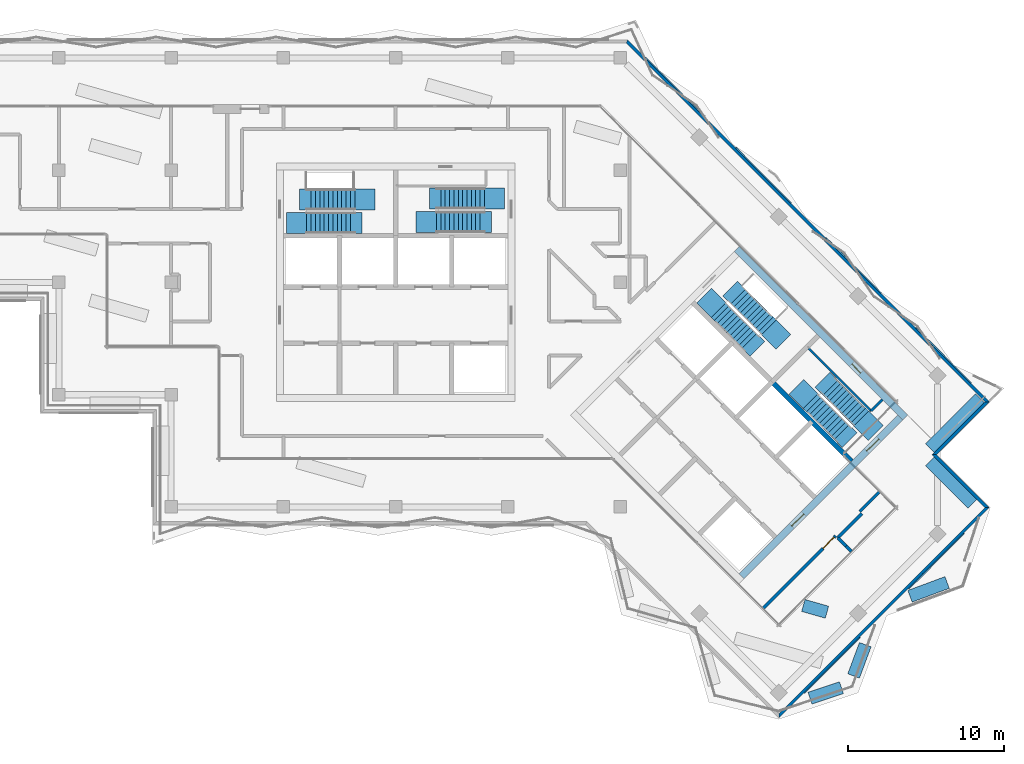
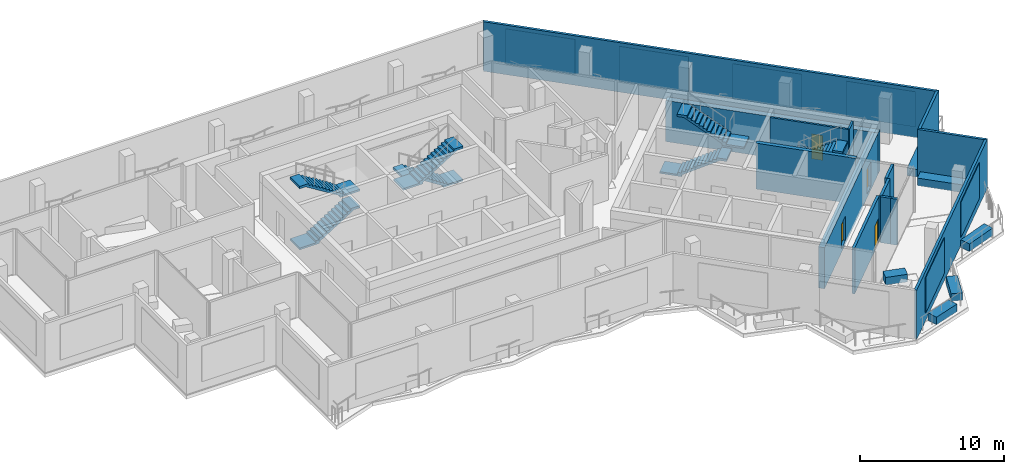
# One storey, part 12 of 19: 20 walls, 8 stair flights, 6 plates, 4 doors, 4 openings, 4 elements without a shape of their own.
"""IFC4 building model written with IfcOpenShell, lengths in metres."""

from ifc_helpers import new_model, si_unit, direction, frame, frame_2d, origin, place, context, subcontext, project, spatial, polyline, rectangle, outline, extrude, material, layer, layer_set, type_object, element, fill, aggregate, save


model = new_model("IFC4")

# Units and contexts
model_context = context("Model", 3, precision=1e-05, world=origin(), true_north=direction((0.0, 1.0)))
body_context = subcontext(model_context, "Body", "Model", "MODEL_VIEW")
ifc_project = project(units=[si_unit("LENGTHUNIT", "METRE"), si_unit("AREAUNIT", "SQUARE_METRE"), si_unit("VOLUMEUNIT", "CUBIC_METRE"), si_unit("PLANEANGLEUNIT", "RADIAN"), si_unit("MASSUNIT", "GRAM", prefix="KILO")], contexts=[model_context])

# Plate
ifc_material_1 = material(Name="Aluminium louvre", Category="aluminium")
ifc_layer_1 = layer(ifc_material_1, 0.05)
ifc_layer_set_1 = layer_set([ifc_layer_1], Name="Belt louvre panel 5000x3000")
plate_type = type_object("IfcPlateType", Name="Belt louvre panel 5000x3000", PredefinedType="SHEET", material=ifc_layer_set_1)
site_placement = place(None, origin())
building_placement = place(site_placement, origin())
storey_placement = place(building_placement, frame((0.0, 0.0, 230.4)))
plate_1_placement = place(storey_placement, frame((101.7315, 51.1655, 0.75), z_axis=(0.7071167811, 0.7070967812, 0.0), x_axis=(-0.7070967812, 0.7071167811, 0.0)))
plate_1 = element("IfcPlate", 1, at=plate_1_placement, type_object=plate_type, Name="Belt louvre panel L63 5.1", PredefinedType="SHEET", context=body_context, shape_type="SweptSolid", body=[
    extrude(outline(polyline([(0.0, 0.0), (5.0, 0.0), (5.0, 3.0), (0.0, 3.0), (0.0, 0.0)])), origin(), (0.0, 0.0, -1.0), 0.05),
])

plate_2_placement = place(storey_placement, frame((95.9536, 56.9434, 0.75), z_axis=(0.7071167811, 0.7070967812, 0.0), x_axis=(-0.7070967812, 0.7071167811, 0.0)))
plate_2 = element("IfcPlate", 2, at=plate_2_placement, type_object=plate_type, Name="Belt louvre panel L63 6.2", PredefinedType="SHEET", context=body_context, shape_type="SweptSolid", body=[
    extrude(outline(polyline([(0.0, 0.0), (5.0, 0.0), (5.0, 3.0), (0.0, 3.0), (0.0, 0.0)])), origin(), (0.0, 0.0, -1.0), 0.05),
])

plate_3_placement = place(storey_placement, frame((90.1756, 62.7214, 0.75), z_axis=(0.7071067812, 0.7071067812, 0.0), x_axis=(-0.7071067812, 0.7071067812, 0.0)))
plate_3 = element("IfcPlate", 3, at=plate_3_placement, type_object=plate_type, Name="Belt louvre panel L63 7.3", PredefinedType="SHEET", context=body_context, shape_type="SweptSolid", body=[
    extrude(outline(polyline([(0.0, 0.0), (5.0, 0.0), (5.0, 3.0), (0.0, 3.0), (0.0, 0.0)])), origin(), (0.0, 0.0, -1.0), 0.05),
])

plate_4_placement = place(storey_placement, frame((84.3977, 68.4993, 0.75), z_axis=(0.7071167811, 0.7070967812, 0.0), x_axis=(-0.7070967812, 0.7071167811, 0.0)))
plate_4 = element("IfcPlate", 4, at=plate_4_placement, type_object=plate_type, Name="Belt louvre panel L63 8.4", PredefinedType="SHEET", context=body_context, shape_type="SweptSolid", body=[
    extrude(outline(polyline([(0.0, 0.0), (5.0, 0.0), (5.0, 3.0), (0.0, 3.0), (0.0, 0.0)])), origin(), (0.0, 0.0, -1.0), 0.05),
])

plate_5_placement = place(storey_placement, frame((91.0617, 31.253, 0.75), z_axis=(0.7070967812, -0.7071167811, 0.0), x_axis=(0.7071167811, 0.7070967812, 0.0)))
plate_5 = element("IfcPlate", 5, at=plate_5_placement, type_object=plate_type, Name="Belt louvre panel L63 73.1", PredefinedType="SHEET", context=body_context, shape_type="SweptSolid", body=[
    extrude(outline(polyline([(0.0, 0.0), (5.0, 0.0), (5.0, 3.0), (0.0, 3.0), (0.0, 0.0)])), origin(), (0.0, 0.0, -1.0), 0.05),
])

plate_6_placement = place(storey_placement, frame((97.7439, 37.9351, 0.75), z_axis=(0.7071167811, -0.7070967812, 0.0), x_axis=(0.7070967812, 0.7071167811, 0.0)))
plate_6 = element("IfcPlate", 6, at=plate_6_placement, type_object=plate_type, Name="Belt louvre panel L63 74.2", PredefinedType="SHEET", context=body_context, shape_type="SweptSolid", body=[
    extrude(outline(polyline([(0.0, 0.0), (5.0, 0.0), (5.0, 3.0), (0.0, 3.0), (0.0, 0.0)])), origin(), (0.0, 0.0, -1.0), 0.05),
])

# Site, building, storey
site = spatial("IfcSite", under=ifc_project, at=site_placement, CompositionType="ELEMENT")
building = spatial("IfcBuilding", under=site, at=building_placement, Name="Windrow Commons", CompositionType="ELEMENT")
storey = spatial("IfcBuildingStorey", under=building, at=storey_placement, Name="L63", CompositionType="ELEMENT", Elevation=230.4)

# Walls
ifc_material_2 = material(Name="Concrete C40/50 precast screen panel", Category="concrete")
ifc_layer_2 = layer(ifc_material_2, 0.2)
ifc_layer_set_2 = layer_set([ifc_layer_2], Name="Belt screen wall 200")
wall_type_1 = type_object("IfcWallType", Name="Belt screen wall 200", PredefinedType="SOLIDWALL", material=ifc_layer_set_2)
wall_1_placement = place(storey_placement, frame((102.7467, 43.15, 0.0), z_axis=(0.0, 0.0, 1.0), x_axis=(-0.7071067812, 0.7071067812, 0.0)))
element("IfcWall", 7, at=wall_1_placement, inside=storey, type_object=wall_type_1, Name="Belt screen wall L63 1", PredefinedType="SOLIDWALL", context=body_context, shape_type="SweptSolid", body=[
    extrude(outline(polyline([(-0.1, -0.1), (4.7, -0.1), (4.9, 0.1), (0.1, 0.1), (-0.1, -0.1)])), origin(), (0.0, 0.0, 1.0), 4.2),
])
wall_2_placement = place(storey_placement, frame((99.3525, 46.5442, 0.0), z_axis=(0.0, 0.0, 1.0), x_axis=(0.7071171977, 0.7070963646, 0.0)))
element("IfcWall", 8, at=wall_2_placement, inside=storey, type_object=wall_type_1, Name="Belt screen wall L63 3", PredefinedType="SOLIDWALL", context=body_context, shape_type="SweptSolid", body=[
    extrude(outline(polyline([(0.1, -0.1), (4.9, -0.1), (4.7, 0.1), (-0.1, 0.1), (0.1, -0.1)])), origin(), (0.0, 0.0, 1.0), 4.2),
])

# Wall
wall_3_placement = place(storey_placement, frame((102.7467, 49.9383, 0.0), z_axis=(0.0, 0.0, 1.0), x_axis=(-0.7071083109, 0.7071052514, 0.0)))
wall_3 = element("IfcWall", 9, at=wall_3_placement, inside=storey, type_object=wall_type_1, Name="Belt screen wall L63 5", PredefinedType="SOLIDWALL", context=body_context, shape_type="SweptSolid", body=[
    extrude(outline(polyline([(-0.1, -0.1), (32.7263, -0.1), (32.6435, 0.1), (0.1, 0.1), (-0.1, -0.1)])), origin(), (0.0, 0.0, 1.0), 4.2),
])

aggregate(wall_3, [plate_1, plate_2, plate_3, plate_4])

wall_4_placement = place(storey_placement, frame((89.3823, 29.7857, 0.0), z_axis=(0.0, 0.0, 1.0), x_axis=(0.7071094267, 0.7071041357, 0.0)))
wall_4 = element("IfcWall", 10, at=wall_4_placement, inside=storey, type_object=wall_type_1, Name="Belt screen wall L63 73", PredefinedType="SOLIDWALL", context=body_context, shape_type="SweptSolid", body=[
    extrude(outline(polyline([(-0.1, -0.1), (19.0, -0.1), (18.8, 0.1), (0.1, 0.1), (-0.1, -0.1)])), origin(), (0.0, 0.0, 1.0), 4.2),
])

aggregate(wall_4, [plate_5, plate_6])

# Wall, opening, door
ifc_material_3 = material(Name="Blockwork partition", Category="masonry")
ifc_layer_3 = layer(ifc_material_3, 0.2)
ifc_layer_set_3 = layer_set([ifc_layer_3], Name="IW-CORRIDOR-200")
wall_type_2 = type_object("IfcWallType", Name="IW-CORRIDOR-200", PredefinedType="PARTITIONING", material=ifc_layer_set_3)
wall_5_placement = place(storey_placement, frame((88.3767, 36.7013, 0.0), z_axis=(0.0, 0.0, 1.0), x_axis=(0.7071067812, 0.7071067812, 0.0)))
wall_5 = element("IfcWall", 11, at=wall_5_placement, inside=storey, type_object=wall_type_2, Name="W-L63-W004", PredefinedType="PARTITIONING", context=body_context, shape_type="SweptSolid", body=[
    extrude(rectangle(XDim=6.5704, YDim=0.2, at=frame_2d((3.2852, 0.0))), origin(), (0.0, 0.0, 1.0), 3.9),
])
opening_1_placement = place(wall_5_placement, frame((5.4297, 0.0, 0.0)))
opening_1 = element("IfcOpeningElement", 12, at=opening_1_placement, cuts=wall_5, Name="Opening D310F", PredefinedType="OPENING", context=body_context, shape_type="SweptSolid", body=[
    extrude(rectangle(XDim=1.0, YDim=2.1, at=frame_2d((0.5, 1.05))), frame((0.0, 0.11, 0.0), z_axis=(0.0, -1.0, 0.0), x_axis=(1.0, 0.0, 0.0)), (0.0, 0.0, 1.0), 0.22),
])
ifc_material_4 = material(Name="Timber door leaf", Category="wood")
door_type_1 = type_object("IfcDoorType", Name="DT-AMENITY-1000", OperationType="SINGLE_SWING_LEFT", PredefinedType="DOOR", material=ifc_material_4)
door_1_placement = place(opening_1_placement, origin())
door_1 = element("IfcDoor", 13, at=door_1_placement, inside=storey, type_object=door_type_1, Name="D-L63-D014", OperationType="SINGLE_SWING_LEFT", OverallHeight=2.1, OverallWidth=1.0, PredefinedType="DOOR", context=body_context, shape_type="SweptSolid", body=[
    extrude(rectangle(XDim=1.0, YDim=2.1, at=frame_2d((0.5, 1.05))), frame((0.0, 0.025, 0.0), z_axis=(0.0, -1.0, 0.0), x_axis=(1.0, 0.0, 0.0)), (0.0, 0.0, 1.0), 0.05),
])
fill(opening_1, door_1)

# Walls
wall_6_placement = place(storey_placement, frame((93.1643, 41.2077, 0.0), z_axis=(0.0, 0.0, 1.0), x_axis=(0.706651904, 0.7075613659, 0.0)))
element("IfcWall", 14, at=wall_6_placement, inside=storey, type_object=wall_type_2, Name="W-L63-W023", PredefinedType="PARTITIONING", context=body_context, shape_type="SweptSolid", body=[
    extrude(rectangle(XDim=2.1991, YDim=0.2, at=frame_2d((1.0996, 0.0))), origin(), (0.0, 0.0, 1.0), 3.9),
])
wall_7_placement = place(storey_placement, frame((94.5781, 42.9059, 0.0), z_axis=(0.0, 0.0, 1.0), x_axis=(0.7076717883, 0.7065413222, 0.0)))
element("IfcWall", 15, at=wall_7_placement, inside=storey, type_object=wall_type_2, Name="W-L63-W033", PredefinedType="PARTITIONING", context=body_context, shape_type="SweptSolid", body=[
    extrude(rectangle(XDim=1.7692, YDim=0.2, at=frame_2d((0.8846, 0.0))), origin(), (0.0, 0.0, 1.0), 3.9),
])
ifc_material_5 = material(Name="Blockwork partition", Category="masonry")
ifc_layer_4 = layer(ifc_material_5, 0.2)
ifc_layer_set_4 = layer_set([ifc_layer_4], Name="IW-PARTY-200")
wall_type_3 = type_object("IfcWallType", Name="IW-PARTY-200", PredefinedType="PARTITIONING", material=ifc_layer_set_4)
wall_8_placement = place(storey_placement, frame((93.1693, 41.2093, 0.0), z_axis=(0.0, 0.0, 1.0), x_axis=(0.7071067812, -0.7071067812, 0.0)))
element("IfcWall", 16, at=wall_8_placement, inside=storey, type_object=wall_type_3, Name="W-L63-W053", PredefinedType="PARTITIONING", context=body_context, shape_type="SweptSolid", body=[
    extrude(rectangle(XDim=0.7495, YDim=0.2, at=frame_2d((0.3748, 0.0))), origin(), (0.0, 0.0, 1.0), 3.9),
])
wall_9_placement = place(storey_placement, frame((93.6978, 40.6778, 0.0), z_axis=(0.0, 0.0, 1.0), x_axis=(0.7049801586, -0.7092270271, 0.0)))
element("IfcWall", 17, at=wall_9_placement, inside=storey, type_object=wall_type_3, Name="W-L63-W056", PredefinedType="PARTITIONING", context=body_context, shape_type="SweptSolid", body=[
    extrude(rectangle(XDim=0.4709, YDim=0.2, at=frame_2d((0.2354, 0.0))), origin(), (0.0, 0.0, 1.0), 3.9),
])
ifc_material_6 = material(Name="Concrete C30/37 planter wall", Category="concrete")
ifc_layer_5 = layer(ifc_material_6, 0.8)
ifc_layer_set_5 = layer_set([ifc_layer_5], Name="Planter 800x600")
wall_type_4 = type_object("IfcWallType", Name="Planter 800x600", PredefinedType="SOLIDWALL", material=ifc_layer_set_5)
wall_10_placement = place(storey_placement, frame((91.3823, 30.9254, 0.0), z_axis=(0.0, 0.0, 1.0), x_axis=(0.9486832981, 0.316227766, 0.0)))
element("IfcWall", 18, at=wall_10_placement, inside=storey, type_object=wall_type_4, Name="PLANTER TR-L63-1.6", PredefinedType="SOLIDWALL", context=body_context, shape_type="SweptSolid", body=[
    extrude(rectangle(XDim=2.1304, YDim=0.8, at=frame_2d((1.0652, 0.0))), origin(), (0.0, 0.0, 1.0), 0.65),
])
wall_11_placement = place(storey_placement, frame((94.1815, 32.3513, 0.0), z_axis=(0.0, 0.0, 1.0), x_axis=(0.3482040896, 0.9374187495, 0.0)))
element("IfcWall", 19, at=wall_11_placement, inside=storey, type_object=wall_type_4, Name="PLANTER TR-L63-1.7", PredefinedType="SOLIDWALL", context=body_context, shape_type="SweptSolid", body=[
    extrude(rectangle(XDim=2.1447, YDim=0.8, at=frame_2d((1.0723, 0.0))), origin(), (0.0, 0.0, 1.0), 0.65),
])
wall_12_placement = place(storey_placement, frame((97.7975, 37.4655, 0.0), z_axis=(0.0, 0.0, 1.0), x_axis=(0.937425272, 0.3481865296, 0.0)))
element("IfcWall", 20, at=wall_12_placement, inside=storey, type_object=wall_type_4, Name="PLANTER TR-L63-1.8", PredefinedType="SOLIDWALL", context=body_context, shape_type="SweptSolid", body=[
    extrude(rectangle(XDim=2.5426, YDim=0.8, at=frame_2d((1.2713, 0.0))), origin(), (0.0, 0.0, 1.0), 0.65),
])
wall_13_placement = place(storey_placement, frame((101.7908, 43.3987, 0.0), z_axis=(0.0, 0.0, 1.0), x_axis=(-0.7070807946, 0.7071327668, 0.0)))
element("IfcWall", 21, at=wall_13_placement, inside=storey, type_object=wall_type_4, Name="PLANTER TR-L63-1.9", PredefinedType="SOLIDWALL", context=body_context, shape_type="SweptSolid", body=[
    extrude(rectangle(XDim=3.8482, YDim=0.8, at=frame_2d((1.9241, 0.0))), origin(), (0.0, 0.0, 1.0), 0.65),
])
wall_14_placement = place(storey_placement, frame((99.0698, 46.9685, 0.0), z_axis=(0.0, 0.0, 1.0), x_axis=(0.7071067812, 0.7071067812, 0.0)))
element("IfcWall", 22, at=wall_14_placement, inside=storey, type_object=wall_type_4, Name="PLANTER TR-L63-1.10", PredefinedType="SOLIDWALL", context=body_context, shape_type="SweptSolid", body=[
    extrude(rectangle(XDim=4.5478, YDim=0.8, at=frame_2d((2.2739, 0.0))), origin(), (0.0, 0.0, 1.0), 0.65),
])
wall_15_placement = place(storey_placement, frame((92.4735, 36.4443, 0.0), z_axis=(0.0, 0.0, 1.0), x_axis=(-0.9622658072, 0.2721112204, 0.0)))
element("IfcWall", 23, at=wall_15_placement, inside=storey, type_object=wall_type_4, Name="PLANTER TR-L63-1 bed 13", PredefinedType="SOLIDWALL", context=body_context, shape_type="SweptSolid", body=[
    extrude(rectangle(XDim=1.5795, YDim=0.8, at=frame_2d((0.7897, 0.0))), origin(), (0.0, 0.0, 1.0), 0.65),
])

# Wall, opening, door
ifc_material_7 = material(Name="Concrete C40/50", Category="concrete")
ifc_layer_6 = layer(ifc_material_7, 0.45)
ifc_layer_set_6 = layer_set([ifc_layer_6], Name="RC CORE WALL 450 C40/50")
wall_type_5 = type_object("IfcWallType", Name="RC CORE WALL 450 C40/50", PredefinedType="SHEAR", material=ifc_layer_set_6)
wall_16_placement = place(storey_placement, frame((86.6777, 59.7494, -0.3), z_axis=(0.0, 0.0, 1.0), x_axis=(0.7071035132, -0.7071100491, 0.0)))
wall_16 = element("IfcWall", 24, at=wall_16_placement, inside=storey, type_object=wall_type_5, Name="Core B wall outer-N", PredefinedType="SHEAR", context=body_context, shape_type="SweptSolid", body=[
    extrude(rectangle(XDim=15.3, YDim=0.45, at=frame_2d((7.65, 0.0))), origin(), (0.0, 0.0, 1.0), 3.5),
])
opening_2_placement = place(wall_16_placement, frame((10.45, 0.0, 0.3)))
opening_2 = element("IfcOpeningElement", 25, at=opening_2_placement, cuts=wall_16, Name="Opening D9", PredefinedType="OPENING", context=body_context, shape_type="SweptSolid", body=[
    extrude(rectangle(XDim=0.8, YDim=2.1, at=frame_2d((0.4, 1.05))), frame((0.0, 0.235, 0.0), z_axis=(0.0, -1.0, 0.0), x_axis=(1.0, 0.0, 0.0)), (0.0, 0.0, 1.0), 0.47),
])
ifc_material_8 = material(Name="Steel fire door leaf", Category="steel")
door_type_2 = type_object("IfcDoorType", Name="Riser access door 800", OperationType="SINGLE_SWING_LEFT", PredefinedType="DOOR", material=ifc_material_8)
door_2_placement = place(opening_2_placement, origin())
door_2 = element("IfcDoor", 26, at=door_2_placement, inside=storey, type_object=door_type_2, Name="Riser access door", OperationType="SINGLE_SWING_RIGHT", OverallHeight=2.1, OverallWidth=0.8, PredefinedType="DOOR", context=body_context, shape_type="SweptSolid", body=[
    extrude(rectangle(XDim=0.8, YDim=2.1, at=frame_2d((0.4, 1.05))), frame((0.0, 0.025, 0.0), z_axis=(0.0, -1.0, 0.0), x_axis=(1.0, 0.0, 0.0)), (0.0, 0.0, 1.0), 0.05),
])
fill(opening_2, door_2)

# Wall, openings, doors
wall_17_placement = place(storey_placement, frame((86.9959, 38.7483, -0.3), z_axis=(0.0, 0.0, 1.0), x_axis=(0.7071067812, 0.7071067812, 0.0)))
wall_17 = element("IfcWall", 27, at=wall_17_placement, inside=storey, type_object=wall_type_5, Name="Core B wall outer-E", PredefinedType="SHEAR", context=body_context, shape_type="SweptSolid", body=[
    extrude(rectangle(XDim=14.3999, YDim=0.45, at=frame_2d((7.2, 0.0))), origin(), (0.0, 0.0, 1.0), 3.5),
])
opening_3_placement = place(wall_17_placement, frame((4.55, 0.0, 0.3)))
opening_3 = element("IfcOpeningElement", 28, at=opening_3_placement, cuts=wall_17, Name="Opening D6", PredefinedType="OPENING", context=body_context, shape_type="SweptSolid", body=[
    extrude(rectangle(XDim=1.1, YDim=2.1, at=frame_2d((0.55, 1.05))), frame((0.0, 0.235, 0.0), z_axis=(0.0, -1.0, 0.0), x_axis=(1.0, 0.0, 0.0)), (0.0, 0.0, 1.0), 0.47),
])
opening_4_placement = place(wall_17_placement, frame((11.35, 0.0, 0.3)))
opening_4 = element("IfcOpeningElement", 29, at=opening_4_placement, cuts=wall_17, Name="Opening D7", PredefinedType="OPENING", context=body_context, shape_type="SweptSolid", body=[
    extrude(rectangle(XDim=1.1, YDim=2.1, at=frame_2d((0.55, 1.05))), frame((0.0, 0.235, 0.0), z_axis=(0.0, -1.0, 0.0), x_axis=(1.0, 0.0, 0.0)), (0.0, 0.0, 1.0), 0.47),
])
ifc_material_9 = material(Name="Steel fire door leaf", Category="steel")
door_type_3 = type_object("IfcDoorType", Name="Core lobby door 1100", OperationType="SINGLE_SWING_LEFT", PredefinedType="DOOR", material=ifc_material_9)
door_3_placement = place(opening_3_placement, origin())
door_3 = element("IfcDoor", 30, at=door_3_placement, inside=storey, type_object=door_type_3, Name="Lift lobby door", OperationType="DOUBLE_DOOR_SINGLE_SWING", OverallHeight=2.1, OverallWidth=1.1, PredefinedType="DOOR", context=body_context, shape_type="SweptSolid", body=[
    extrude(rectangle(XDim=1.1, YDim=2.1, at=frame_2d((0.55, 1.05))), frame((0.0, 0.025, 0.0), z_axis=(0.0, -1.0, 0.0), x_axis=(1.0, 0.0, 0.0)), (0.0, 0.0, 1.0), 0.05),
])
fill(opening_3, door_3)
ifc_material_10 = material(Name="Steel fire door leaf", Category="steel")
door_type_4 = type_object("IfcDoorType", Name="Stair door 1100", OperationType="SINGLE_SWING_LEFT", PredefinedType="DOOR", material=ifc_material_10)
door_4_placement = place(opening_4_placement, origin())
door_4 = element("IfcDoor", 31, at=door_4_placement, inside=storey, type_object=door_type_4, Name="Stair door", OperationType="SINGLE_SWING_RIGHT", OverallHeight=2.1, OverallWidth=1.1, PredefinedType="DOOR", context=body_context, shape_type="SweptSolid", body=[
    extrude(rectangle(XDim=1.1, YDim=2.1, at=frame_2d((0.55, 1.05))), frame((0.0, 0.025, 0.0), z_axis=(0.0, -1.0, 0.0), x_axis=(1.0, 0.0, 0.0)), (0.0, 0.0, 1.0), 0.05),
])
fill(opening_4, door_4)

# Walls
ifc_material_11 = material(Name="Concrete C40/50", Category="concrete")
ifc_layer_7 = layer(ifc_material_11, 0.3)
ifc_layer_set_7 = layer_set([ifc_layer_7], Name="RC SHAFT WALL 300 C40/50")
wall_type_6 = type_object("IfcWallType", Name="RC SHAFT WALL 300 C40/50", PredefinedType="SOLIDWALL", material=ifc_layer_set_7)
wall_18_placement = place(storey_placement, frame((88.9581, 51.2111, 0.0), z_axis=(0.0, 0.0, 1.0), x_axis=(0.7070998367, -0.7071137256, 0.0)))
element("IfcWall", 32, at=wall_18_placement, inside=storey, type_object=wall_type_6, Name="Core B wall stair-S2", PredefinedType="SOLIDWALL", context=body_context, shape_type="SweptSolid", body=[
    extrude(rectangle(XDim=7.2, YDim=0.3, at=frame_2d((3.6, 0.0))), origin(), (0.0, 0.0, 1.0), 3.9),
])
ifc_material_12 = material(Name="Blockwork partition", Category="masonry")
ifc_layer_8 = layer(ifc_material_12, 0.15)
ifc_layer_set_8 = layer_set([ifc_layer_8], Name="Riser partition 150")
wall_type_7 = type_object("IfcWallType", Name="Riser partition 150", PredefinedType="PARTITIONING", material=ifc_layer_set_8)
wall_19_placement = place(storey_placement, frame((91.3127, 53.3536, 0.0), z_axis=(0.0, 0.0, 1.0), x_axis=(0.7071067812, -0.7071067812, 0.0)))
element("IfcWall", 33, at=wall_19_placement, inside=storey, type_object=wall_type_7, Name="W-core-strip-B-L63", PredefinedType="PARTITIONING", context=body_context, shape_type="SweptSolid", body=[
    extrude(rectangle(XDim=5.6501, YDim=0.15, at=frame_2d((2.8251, 0.0))), origin(), (0.0, 0.0, 1.0), 3.9),
])
wall_20_placement = place(storey_placement, frame((95.3079, 49.3584, 0.0), z_axis=(0.0, 0.0, 1.0), x_axis=(0.70705776, 0.707155799, 0.0)))
element("IfcWall", 34, at=wall_20_placement, inside=storey, type_object=wall_type_7, Name="W-core-stripx-B-L63-1", PredefinedType="PARTITIONING", context=body_context, shape_type="SweptSolid", body=[
    extrude(rectangle(XDim=1.02, YDim=0.15, at=frame_2d((0.51, 0.0))), origin(), (0.0, 0.0, 1.0), 3.9),
])

# Stair, stair flights
ifc_material_13 = material(Name="Concrete C40/50", Category="concrete")
stair_type = type_object("IfcStairType", Name="Core stair", PredefinedType="HALF_TURN_STAIR", material=ifc_material_13)
placement = place(storey_placement, origin())
stair_1 = element("IfcStair", 35, at=placement, inside=storey, type_object=stair_type, Name="L63 Exit stair A1 core A", PredefinedType="HALF_TURN_STAIR")
ifc_material_14 = material(Name="Concrete C40/50", Category="concrete")
stair_flight_type = type_object("IfcStairFlightType", Name="Core stair flight", PredefinedType="STRAIGHT", material=ifc_material_14)
stair_flight_1_placement = place(storey_placement, frame((59.1, 61.425, 0.0), z_axis=(0.0, 0.0, 1.0), x_axis=(1.0, 0.0, 0.0)))
stair_flight_1 = element("IfcStairFlight", 36, at=stair_flight_1_placement, type_object=stair_flight_type, Name="ST-A1 flight 1", NumberOfRisers=12, NumberOfTreads=11, PredefinedType="STRAIGHT", RiserHeight=0.175, TreadLength=0.28, context=body_context, shape_type="SweptSolid", body=[
    extrude(outline(polyline([(-1.3, -0.15), (-1.3, 0.0), (0.0, 0.0), (0.0, 0.175), (0.28, 0.175), (0.28, 0.35), (0.56, 0.35), (0.56, 0.525), (0.84, 0.525), (0.84, 0.7), (1.12, 0.7), (1.12, 0.875), (1.4, 0.875), (1.4, 1.05), (1.68, 1.05), (1.68, 1.225), (1.96, 1.225), (1.96, 1.4), (2.24, 1.4), (2.24, 1.575), (2.52, 1.575), (2.52, 1.75), (2.8, 1.75), (2.8, 1.925), (3.08, 1.925), (3.53, 1.925), (3.53, 1.725), (3.08, 1.725), (3.08, 1.7481), (0.283, 0.0), (0.283, -0.15), (-1.3, -0.15)])), frame((0.0, 0.675, 0.0), z_axis=(0.0, -1.0, 0.0), x_axis=(1.0, 0.0, 0.0)), (0.0, 0.0, 1.0), 1.35),
])
stair_flight_2_placement = place(storey_placement, frame((62.18, 62.925, 2.1), z_axis=(0.0, 0.0, 1.0), x_axis=(-1.0, 0.0, 0.0)))
stair_flight_2 = element("IfcStairFlight", 37, at=stair_flight_2_placement, type_object=stair_flight_type, Name="ST-A1 flight 2", NumberOfRisers=12, NumberOfTreads=11, PredefinedType="STRAIGHT", RiserHeight=0.175, TreadLength=0.28, context=body_context, shape_type="SweptSolid", body=[
    extrude(outline(polyline([(-1.3, -0.15), (-1.3, 0.0), (0.0, 0.0), (0.0, 0.175), (0.28, 0.175), (0.28, 0.35), (0.56, 0.35), (0.56, 0.525), (0.84, 0.525), (0.84, 0.7), (1.12, 0.7), (1.12, 0.875), (1.4, 0.875), (1.4, 1.05), (1.68, 1.05), (1.68, 1.225), (1.96, 1.225), (1.96, 1.4), (2.24, 1.4), (2.24, 1.575), (2.52, 1.575), (2.52, 1.75), (2.8, 1.75), (2.8, 1.925), (3.08, 1.925), (3.53, 1.925), (3.53, 1.725), (3.08, 1.725), (3.08, 1.7481), (0.283, 0.0), (0.283, -0.15), (-1.3, -0.15)])), frame((0.0, 0.675, 0.0), z_axis=(0.0, -1.0, 0.0), x_axis=(1.0, 0.0, 0.0)), (0.0, 0.0, 1.0), 1.35),
])
aggregate(stair_1, [stair_flight_1, stair_flight_2])

stair_2 = element("IfcStair", 38, at=placement, inside=storey, type_object=stair_type, Name="L63 Exit stair A2 core A", PredefinedType="HALF_TURN_STAIR")
stair_flight_3_placement = place(storey_placement, frame((70.5, 62.98, 0.0), z_axis=(0.0, 0.0, 1.0), x_axis=(-1.0, 0.0, 0.0)))
stair_flight_3 = element("IfcStairFlight", 39, at=stair_flight_3_placement, type_object=stair_flight_type, Name="ST-A2 flight 1", NumberOfRisers=12, NumberOfTreads=11, PredefinedType="STRAIGHT", RiserHeight=0.175, TreadLength=0.28, context=body_context, shape_type="SweptSolid", body=[
    extrude(outline(polyline([(-1.3, -0.15), (-1.3, 0.0), (0.0, 0.0), (0.0, 0.175), (0.28, 0.175), (0.28, 0.35), (0.56, 0.35), (0.56, 0.525), (0.84, 0.525), (0.84, 0.7), (1.12, 0.7), (1.12, 0.875), (1.4, 0.875), (1.4, 1.05), (1.68, 1.05), (1.68, 1.225), (1.96, 1.225), (1.96, 1.4), (2.24, 1.4), (2.24, 1.575), (2.52, 1.575), (2.52, 1.75), (2.8, 1.75), (2.8, 1.925), (3.08, 1.925), (3.53, 1.925), (3.53, 1.725), (3.08, 1.725), (3.08, 1.7481), (0.283, 0.0), (0.283, -0.15), (-1.3, -0.15)])), frame((0.0, 0.675, 0.0), z_axis=(0.0, -1.0, 0.0), x_axis=(1.0, 0.0, 0.0)), (0.0, 0.0, 1.0), 1.35),
])
stair_flight_4_placement = place(storey_placement, frame((67.42, 61.48, 2.1), z_axis=(0.0, 0.0, 1.0), x_axis=(1.0, 0.0, 0.0)))
stair_flight_4 = element("IfcStairFlight", 40, at=stair_flight_4_placement, type_object=stair_flight_type, Name="ST-A2 flight 2", NumberOfRisers=12, NumberOfTreads=11, PredefinedType="STRAIGHT", RiserHeight=0.175, TreadLength=0.28, context=body_context, shape_type="SweptSolid", body=[
    extrude(outline(polyline([(-1.3, -0.15), (-1.3, 0.0), (0.0, 0.0), (0.0, 0.175), (0.28, 0.175), (0.28, 0.35), (0.56, 0.35), (0.56, 0.525), (0.84, 0.525), (0.84, 0.7), (1.12, 0.7), (1.12, 0.875), (1.4, 0.875), (1.4, 1.05), (1.68, 1.05), (1.68, 1.225), (1.96, 1.225), (1.96, 1.4), (2.24, 1.4), (2.24, 1.575), (2.52, 1.575), (2.52, 1.75), (2.8, 1.75), (2.8, 1.925), (3.08, 1.925), (3.53, 1.925), (3.53, 1.725), (3.08, 1.725), (3.08, 1.7481), (0.283, 0.0), (0.283, -0.15), (-1.3, -0.15)])), frame((0.0, 0.675, 0.0), z_axis=(0.0, -1.0, 0.0), x_axis=(1.0, 0.0, 0.0)), (0.0, 0.0, 1.0), 1.35),
])
aggregate(stair_2, [stair_flight_3, stair_flight_4])

stair_3 = element("IfcStair", 41, at=placement, inside=storey, type_object=stair_type, Name="L63 Exit stair B1 core B", PredefinedType="HALF_TURN_STAIR")
stair_flight_5_placement = place(storey_placement, frame((85.5109, 55.8249, 0.0), z_axis=(0.0, 0.0, 1.0), x_axis=(0.7071067812, -0.7071067812, 0.0)))
stair_flight_5 = element("IfcStairFlight", 42, at=stair_flight_5_placement, type_object=stair_flight_type, Name="ST-B1 flight 1", NumberOfRisers=12, NumberOfTreads=11, PredefinedType="STRAIGHT", RiserHeight=0.175, TreadLength=0.28, context=body_context, shape_type="SweptSolid", body=[
    extrude(outline(polyline([(-1.3, -0.15), (-1.3, 0.0), (0.0, 0.0), (0.0, 0.175), (0.28, 0.175), (0.28, 0.35), (0.56, 0.35), (0.56, 0.525), (0.84, 0.525), (0.84, 0.7), (1.12, 0.7), (1.12, 0.875), (1.4, 0.875), (1.4, 1.05), (1.68, 1.05), (1.68, 1.225), (1.96, 1.225), (1.96, 1.4), (2.24, 1.4), (2.24, 1.575), (2.52, 1.575), (2.52, 1.75), (2.8, 1.75), (2.8, 1.925), (3.08, 1.925), (3.53, 1.925), (3.53, 1.725), (3.08, 1.725), (3.08, 1.7481), (0.283, 0.0), (0.283, -0.15), (-1.3, -0.15)])), frame((0.0, 0.675, 0.0), z_axis=(0.0, -1.0, 0.0), x_axis=(1.0, 0.0, 0.0)), (0.0, 0.0, 1.0), 1.35),
])
stair_flight_6_placement = place(storey_placement, frame((88.7495, 54.7077, 2.1), z_axis=(0.0, 0.0, 1.0), x_axis=(-0.7071067812, 0.7071067812, 0.0)))
stair_flight_6 = element("IfcStairFlight", 43, at=stair_flight_6_placement, type_object=stair_flight_type, Name="ST-B1 flight 2", NumberOfRisers=12, NumberOfTreads=11, PredefinedType="STRAIGHT", RiserHeight=0.175, TreadLength=0.28, context=body_context, shape_type="SweptSolid", body=[
    extrude(outline(polyline([(-1.3, -0.15), (-1.3, 0.0), (0.0, 0.0), (0.0, 0.175), (0.28, 0.175), (0.28, 0.35), (0.56, 0.35), (0.56, 0.525), (0.84, 0.525), (0.84, 0.7), (1.12, 0.7), (1.12, 0.875), (1.4, 0.875), (1.4, 1.05), (1.68, 1.05), (1.68, 1.225), (1.96, 1.225), (1.96, 1.4), (2.24, 1.4), (2.24, 1.575), (2.52, 1.575), (2.52, 1.75), (2.8, 1.75), (2.8, 1.925), (3.08, 1.925), (3.53, 1.925), (3.53, 1.725), (3.08, 1.725), (3.08, 1.7481), (0.283, 0.0), (0.283, -0.15), (-1.3, -0.15)])), frame((0.0, 0.675, 0.0), z_axis=(0.0, -1.0, 0.0), x_axis=(1.0, 0.0, 0.0)), (0.0, 0.0, 1.0), 1.35),
])
aggregate(stair_3, [stair_flight_5, stair_flight_6])

stair_4 = element("IfcStair", 44, at=placement, inside=storey, type_object=stair_type, Name="L63 Exit stair B2 core B", PredefinedType="HALF_TURN_STAIR")
stair_flight_7_placement = place(storey_placement, frame((94.6715, 48.8635, 0.0), z_axis=(0.0, 0.0, 1.0), x_axis=(-0.7071067812, 0.7071067812, 0.0)))
stair_flight_7 = element("IfcStairFlight", 45, at=stair_flight_7_placement, type_object=stair_flight_type, Name="ST-B2 flight 1", NumberOfRisers=12, NumberOfTreads=11, PredefinedType="STRAIGHT", RiserHeight=0.175, TreadLength=0.28, context=body_context, shape_type="SweptSolid", body=[
    extrude(outline(polyline([(-1.3, -0.15), (-1.3, 0.0), (0.0, 0.0), (0.0, 0.175), (0.28, 0.175), (0.28, 0.35), (0.56, 0.35), (0.56, 0.525), (0.84, 0.525), (0.84, 0.7), (1.12, 0.7), (1.12, 0.875), (1.4, 0.875), (1.4, 1.05), (1.68, 1.05), (1.68, 1.225), (1.96, 1.225), (1.96, 1.4), (2.24, 1.4), (2.24, 1.575), (2.52, 1.575), (2.52, 1.75), (2.8, 1.75), (2.8, 1.925), (3.08, 1.925), (3.53, 1.925), (3.53, 1.725), (3.08, 1.725), (3.08, 1.7481), (0.283, 0.0), (0.283, -0.15), (-1.3, -0.15)])), frame((0.0, 0.675, 0.0), z_axis=(0.0, -1.0, 0.0), x_axis=(1.0, 0.0, 0.0)), (0.0, 0.0, 1.0), 1.35),
])
stair_flight_8_placement = place(storey_placement, frame((91.4329, 49.9807, 2.1), z_axis=(0.0, 0.0, 1.0), x_axis=(0.7071067812, -0.7071067812, 0.0)))
stair_flight_8 = element("IfcStairFlight", 46, at=stair_flight_8_placement, type_object=stair_flight_type, Name="ST-B2 flight 2", NumberOfRisers=12, NumberOfTreads=11, PredefinedType="STRAIGHT", RiserHeight=0.175, TreadLength=0.28, context=body_context, shape_type="SweptSolid", body=[
    extrude(outline(polyline([(-1.3, -0.15), (-1.3, 0.0), (0.0, 0.0), (0.0, 0.175), (0.28, 0.175), (0.28, 0.35), (0.56, 0.35), (0.56, 0.525), (0.84, 0.525), (0.84, 0.7), (1.12, 0.7), (1.12, 0.875), (1.4, 0.875), (1.4, 1.05), (1.68, 1.05), (1.68, 1.225), (1.96, 1.225), (1.96, 1.4), (2.24, 1.4), (2.24, 1.575), (2.52, 1.575), (2.52, 1.75), (2.8, 1.75), (2.8, 1.925), (3.08, 1.925), (3.53, 1.925), (3.53, 1.725), (3.08, 1.725), (3.08, 1.7481), (0.283, 0.0), (0.283, -0.15), (-1.3, -0.15)])), frame((0.0, 0.675, 0.0), z_axis=(0.0, -1.0, 0.0), x_axis=(1.0, 0.0, 0.0)), (0.0, 0.0, 1.0), 1.35),
])
aggregate(stair_4, [stair_flight_7, stair_flight_8])

save(model, "model.ifc")
